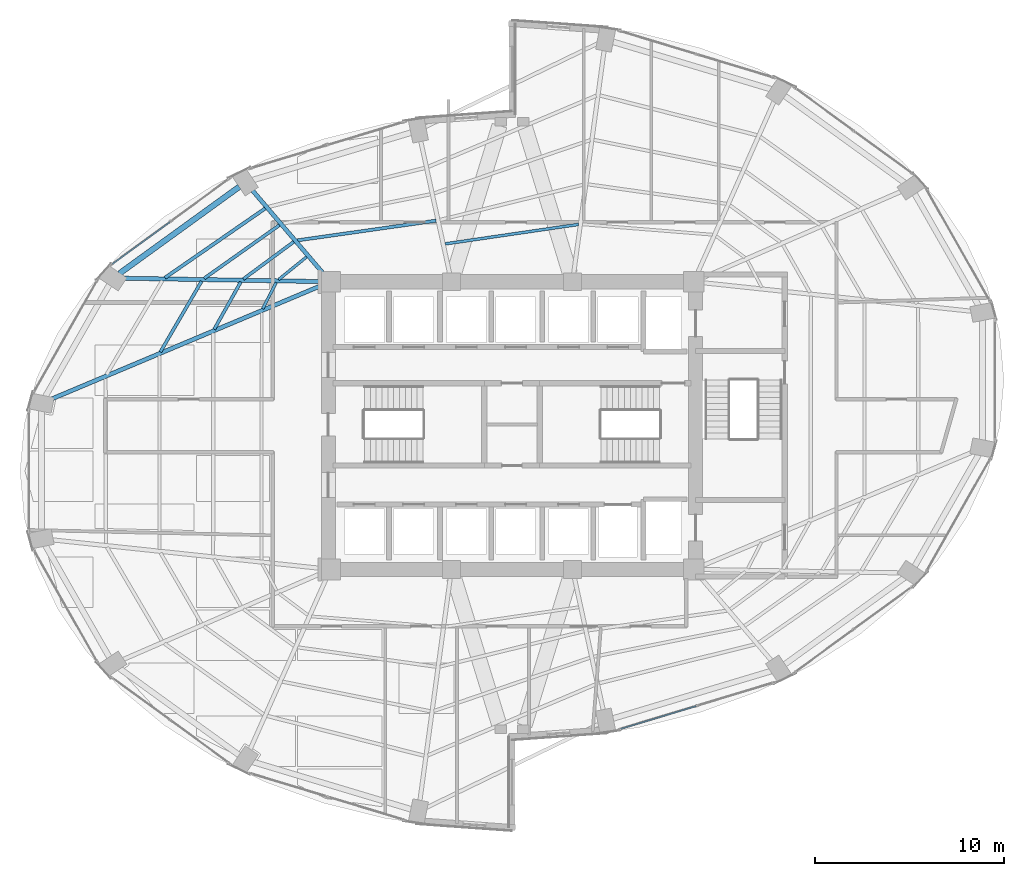
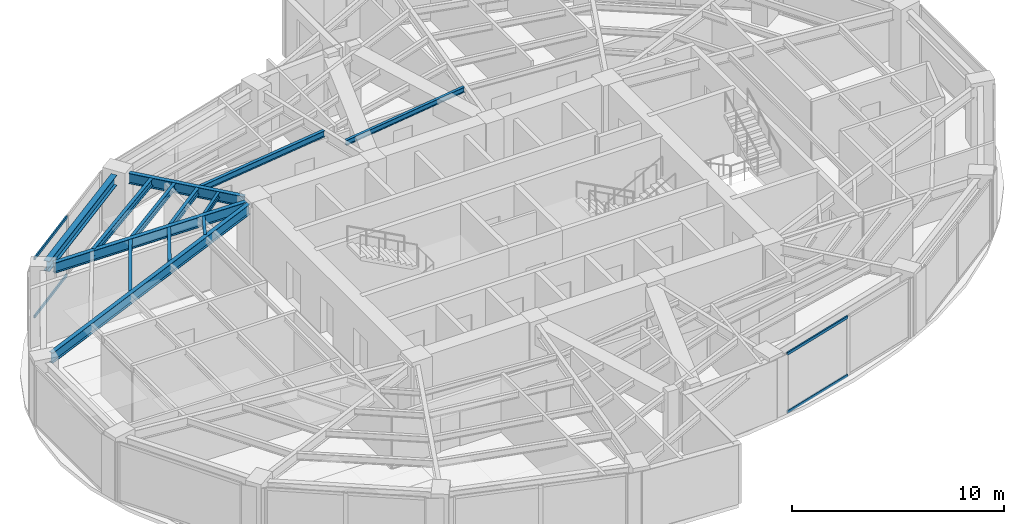
# One storey, part 9 of 23: 13 beams, 4 members, 2 elements without a shape of their own.
"""IFC4 building model written with IfcOpenShell, lengths in metres."""

from ifc_helpers import new_model, si_unit, direction, frame, origin, origin_2d, place, context, subcontext, project, spatial, hollow_rectangle, i_section, extrude, material, layer, layer_set, material_profile, profile_set, type_object, element, aggregate, save


model = new_model("IFC4")

# Units and contexts
model_context = context("Model", 3, precision=1e-05, world=origin(), true_north=direction((0.0, 1.0)))
body_context = subcontext(model_context, "Body", "Model", "MODEL_VIEW")
ifc_project = project(units=[si_unit("LENGTHUNIT", "METRE"), si_unit("AREAUNIT", "SQUARE_METRE"), si_unit("VOLUMEUNIT", "CUBIC_METRE"), si_unit("PLANEANGLEUNIT", "RADIAN"), si_unit("MASSUNIT", "GRAM", prefix="KILO")], contexts=[model_context])

# Site, building, storey
site_placement = place(None, origin())
site = spatial("IfcSite", under=ifc_project, at=site_placement, CompositionType="ELEMENT")
building_placement = place(site_placement, origin())
building = spatial("IfcBuilding", under=site, at=building_placement, Name="Lazwardi Medical Tower", CompositionType="ELEMENT")
storey_placement = place(building_placement, frame((0.0, 0.0, 85.39208984375)))
storey = spatial("IfcBuildingStorey", under=building, at=storey_placement, Name="L21", CompositionType="ELEMENT", Elevation=85.39208984375)

# Beams
ifc_material_1 = material(Name="Steel S355", Category="steel")
ifc_material_profile_1 = material_profile(ifc_material_1, i_section(OverallWidth=0.300048828125, OverallDepth=0.60009765625, WebThickness=0.015380859375, FlangeThickness=0.030029296875, at=origin_2d()), Name="HEB 600")
ifc_profile_set_1 = profile_set([ifc_material_profile_1], Name="Steel S355")
beam_type_1 = type_object("IfcBeamType", Name="BM-RB-Z2", PredefinedType="BEAM", material=ifc_profile_set_1)
beam_1_placement = place(storey_placement, frame((21.584228515625, 40.6171875, 3.1279296875), z_axis=(-0.810041907649, -0.586371987609, 0.0), x_axis=(0.586371987609, -0.810041907649, 0.0)))
element("IfcBeam", 1, at=beam_1_placement, inside=storey, type_object=beam_type_1, Name="Ring beam RB-03 B10 L21", PredefinedType="BEAM", context=body_context, shape_type="SweptSolid", body=[
    extrude(i_section(OverallWidth=0.300048828125, OverallDepth=0.60009765625, WebThickness=0.015380859375, FlangeThickness=0.030029296875, at=origin_2d()), origin(), (0.0, 0.0, 1.0), 7.814208984375),
])
ifc_material_profile_2 = material_profile(ifc_material_1, i_section(OverallWidth=0.219970703125, OverallDepth=0.60009765625, WebThickness=0.011962890625, FlangeThickness=0.01904296875, at=origin_2d()), Name="IPE 600")
ifc_profile_set_2 = profile_set([ifc_material_profile_2], Name="Steel S355")
beam_type_2 = type_object("IfcBeamType", Name="BM-RG-W1", PredefinedType="BEAM", material=ifc_profile_set_2)
beam_2_placement = place(storey_placement, frame((22.292724609375, 40.416259765625, 3.1279296875), z_axis=(0.648870567436, -0.760898801889, 0.0), x_axis=(0.760898801889, 0.648870567436, 0.0)))
element("IfcBeam", 2, at=beam_2_placement, inside=storey, type_object=beam_type_2, Name="Radial girder RG-02 R10 L21", PredefinedType="BEAM", context=body_context, shape_type="SweptSolid", body=[
    extrude(i_section(OverallWidth=0.219970703125, OverallDepth=0.60009765625, WebThickness=0.011962890625, FlangeThickness=0.01904296875, at=origin_2d()), origin(), (0.0, 0.0, 1.0), 5.794677734375),
])
beam_3_placement = place(storey_placement, frame((15.502197265625, 35.784912109375, 3.1279296875), z_axis=(0.99985616395, -0.016960289263, 0.0), x_axis=(0.016960289263, 0.99985616395, 0.0)))
element("IfcBeam", 3, at=beam_3_placement, inside=storey, type_object=beam_type_2, Name="Radial girder RG-02 R11 L21", PredefinedType="BEAM", context=body_context, shape_type="SweptSolid", body=[
    extrude(i_section(OverallWidth=0.219970703125, OverallDepth=0.60009765625, WebThickness=0.011962890625, FlangeThickness=0.01904296875, at=origin_2d()), origin(), (0.0, 0.0, 1.0), 10.3642578125),
])
beam_4_placement = place(storey_placement, frame((11.671630859375, 29.40478515625, 3.1279296875), z_axis=(0.921775176005, 0.38772480563, 0.0), x_axis=(-0.38772480563, 0.921775176005, 0.0)))
element("IfcBeam", 4, at=beam_4_placement, inside=storey, type_object=beam_type_2, Name="Radial girder RG-02 R12 L21", PredefinedType="BEAM", context=body_context, shape_type="SweptSolid", body=[
    extrude(i_section(OverallWidth=0.219970703125, OverallDepth=0.60009765625, WebThickness=0.011962890625, FlangeThickness=0.01904296875, at=origin_2d()), origin(), (0.0, 0.0, 1.0), 15.443359375),
])
ifc_material_profile_3 = material_profile(ifc_material_1, i_section(OverallWidth=0.179931640625, OverallDepth=0.39990234375, WebThickness=0.008544921875, FlangeThickness=0.013427734375, at=origin_2d()), Name="IPE 400")
ifc_profile_set_3 = profile_set([ifc_material_profile_3], Name="Steel S355")
beam_type_3 = type_object("IfcBeamType", Name="BM-SJ-01", PredefinedType="JOIST", material=ifc_profile_set_3)
beam_5_placement = place(storey_placement, frame((22.95849609375, 39.474609375, 3.22802734375), z_axis=(-0.822376339068, -0.568943896128, 0.0), x_axis=(0.568943896128, -0.822376339068, 0.0)))
element("IfcBeam", 5, at=beam_5_placement, inside=storey, type_object=beam_type_3, Name="Secondary joist SJ-01 R1 B10 L21", PredefinedType="JOIST", context=body_context, shape_type="SweptSolid", body=[
    extrude(i_section(OverallWidth=0.179931640625, OverallDepth=0.39990234375, WebThickness=0.008544921875, FlangeThickness=0.013427734375, at=origin_2d()), origin(), (0.0, 0.0, 1.0), 6.44189453125),
])
ifc_material_profile_4 = material_profile(ifc_material_1, i_section(OverallWidth=0.169921875, OverallDepth=0.360107421875, WebThickness=0.008056640625, FlangeThickness=0.0126953125, at=origin_2d()), Name="IPE 360")
ifc_profile_set_4 = profile_set([ifc_material_profile_4], Name="Steel S355")
beam_type_4 = type_object("IfcBeamType", Name="BM-SJ-02", PredefinedType="JOIST", material=ifc_profile_set_4)
beam_6_placement = place(storey_placement, frame((23.7109375, 38.591796875, 3.247802734375), z_axis=(-0.816156371539, -0.577831097464, 0.0), x_axis=(0.577831097464, -0.816156371539, 0.0)))
element("IfcBeam", 6, at=beam_6_placement, inside=storey, type_object=beam_type_4, Name="Secondary joist SJ-02 R2 B10 L21", PredefinedType="JOIST", context=body_context, shape_type="SweptSolid", body=[
    extrude(i_section(OverallWidth=0.169921875, OverallDepth=0.360107421875, WebThickness=0.008056640625, FlangeThickness=0.0126953125, at=origin_2d()), origin(), (0.0, 0.0, 1.0), 4.8740234375),
])
beam_7_placement = place(storey_placement, frame((19.594482421875, 35.623779296875, 3.247802734375), z_axis=(-0.503544274258, -0.86396942299, 0.0), x_axis=(0.86396942299, -0.503544274258, 0.0)))
element("IfcBeam", 7, at=beam_7_placement, inside=storey, type_object=beam_type_4, Name="Secondary joist SJ-02 R2 B11 L21", PredefinedType="JOIST", context=body_context, shape_type="SweptSolid", body=[
    extrude(i_section(OverallWidth=0.169921875, OverallDepth=0.360107421875, WebThickness=0.008056640625, FlangeThickness=0.0126953125, at=origin_2d()), origin(), (0.0, 0.0, 1.0), 4.321044921875),
])
beam_8_placement = place(storey_placement, frame((31.988525390625, 38.8271484375, 3.247802734375), z_axis=(-0.990067108571, -0.140595592128, 0.0), x_axis=(0.140595592128, -0.990067108571, 0.0)))
element("IfcBeam", 8, at=beam_8_placement, inside=storey, type_object=beam_type_4, Name="Secondary joist SJ-02 R3 B09 L21", PredefinedType="JOIST", context=body_context, shape_type="SweptSolid", body=[
    extrude(i_section(OverallWidth=0.169921875, OverallDepth=0.360107421875, WebThickness=0.008056640625, FlangeThickness=0.0126953125, at=origin_2d()), origin(), (0.0, 0.0, 1.0), 7.409423828125),
])
beam_9_placement = place(storey_placement, frame((24.46435546875, 37.708251953125, 3.247802734375), z_axis=(-0.804125525058, -0.594459536008, 0.0), x_axis=(0.594459536008, -0.804125525058, 0.0)))
element("IfcBeam", 9, at=beam_9_placement, inside=storey, type_object=beam_type_4, Name="Secondary joist SJ-02 R3 B10 L21", PredefinedType="JOIST", context=body_context, shape_type="SweptSolid", body=[
    extrude(i_section(OverallWidth=0.169921875, OverallDepth=0.360107421875, WebThickness=0.008056640625, FlangeThickness=0.0126953125, at=origin_2d()), origin(), (0.0, 0.0, 1.0), 3.30810546875),
])
beam_10_placement = place(storey_placement, frame((21.66845703125, 35.587890625, 3.247802734375), z_axis=(-0.489860824278, -0.871800649711, 0.0), x_axis=(0.871800649711, -0.489860824278, 0.0)))
element("IfcBeam", 10, at=beam_10_placement, inside=storey, type_object=beam_type_4, Name="Secondary joist SJ-02 R3 B11 L21", PredefinedType="JOIST", context=body_context, shape_type="SweptSolid", body=[
    extrude(i_section(OverallWidth=0.169921875, OverallDepth=0.360107421875, WebThickness=0.008056640625, FlangeThickness=0.0126953125, at=origin_2d()), origin(), (0.0, 0.0, 1.0), 2.8662109375),
])
ifc_material_profile_5 = material_profile(ifc_material_1, i_section(OverallWidth=0.14990234375, OverallDepth=0.300048828125, WebThickness=0.007080078125, FlangeThickness=0.0107421875, at=origin_2d()), Name="IPE 300")
ifc_profile_set_5 = profile_set([ifc_material_profile_5], Name="Steel S355")
beam_type_5 = type_object("IfcBeamType", Name="BM-SJ-03", PredefinedType="JOIST", material=ifc_profile_set_5)
beam_11_placement = place(storey_placement, frame((39.511474609375, 38.62939453125, 3.27783203125), z_axis=(-0.98949221477, -0.144586157392, 0.0), x_axis=(0.144586157392, -0.98949221477, 0.0)))
element("IfcBeam", 11, at=beam_11_placement, inside=storey, type_object=beam_type_5, Name="Secondary joist SJ-03 R4 B08 L21", PredefinedType="JOIST", context=body_context, shape_type="SweptSolid", body=[
    extrude(i_section(OverallWidth=0.14990234375, OverallDepth=0.300048828125, WebThickness=0.007080078125, FlangeThickness=0.0107421875, at=origin_2d()), origin(), (0.0, 0.0, 1.0), 7.115478515625),
])
beam_12_placement = place(storey_placement, frame((25.14404296875, 36.910888671875, 3.27783203125), z_axis=(-0.77695773322, -0.629552762515, 0.0), x_axis=(0.629552762515, -0.77695773322, 0.0)))
element("IfcBeam", 12, at=beam_12_placement, inside=storey, type_object=beam_type_5, Name="Secondary joist SJ-03 R4 B10 L21", PredefinedType="JOIST", context=body_context, shape_type="SweptSolid", body=[
    extrude(i_section(OverallWidth=0.14990234375, OverallDepth=0.300048828125, WebThickness=0.007080078125, FlangeThickness=0.0107421875, at=origin_2d()), origin(), (0.0, 0.0, 1.0), 1.9013671875),
])
beam_13_placement = place(storey_placement, frame((23.537109375, 35.554443359375, 3.27783203125), z_axis=(-0.457956589674, -0.888974556427, 0.0), x_axis=(0.888974556427, -0.457956589674, 0.0)))
element("IfcBeam", 13, at=beam_13_placement, inside=storey, type_object=beam_type_5, Name="Secondary joist SJ-03 R4 B11 L21", PredefinedType="JOIST", context=body_context, shape_type="SweptSolid", body=[
    extrude(i_section(OverallWidth=0.14990234375, OverallDepth=0.300048828125, WebThickness=0.007080078125, FlangeThickness=0.0107421875, at=origin_2d()), origin(), (0.0, 0.0, 1.0), 1.558837890625),
])

# Curtain wall, members
ifc_material_2 = material(Name="Anodised bronze aluminium and solar control glazing", Category="aluminium")
ifc_layer = layer(ifc_material_2, 0.195068359375)
ifc_layer_set = layer_set([ifc_layer], Name="Anodised bronze aluminium and solar control glazing")
curtain_wall_type = type_object("IfcCurtainWallType", Name="CW-SYS-03", PredefinedType="NOTDEFINED", material=ifc_layer_set)
curtain_wall_1_placement = place(storey_placement, origin())
curtain_wall_1 = element("IfcCurtainWall", 14, at=curtain_wall_1_placement, inside=storey, type_object=curtain_wall_type, Name="L21 Unitised bronze curtain wall CW-03", PredefinedType="NOTDEFINED")
ifc_material_3 = material(Name="Anodised bronze aluminium", Category="aluminium")
ifc_material_profile_6 = material_profile(ifc_material_3, hollow_rectangle(XDim=0.074951171875, YDim=0.159912109375, WallThickness=0.00390625, at=origin_2d()), Name="ALU-TRANSOM 160x75x4")
ifc_profile_set_6 = profile_set([ifc_material_profile_6], Name="Anodised bronze aluminium")
member_type = type_object("IfcMemberType", Name="CW-TRN-01", PredefinedType="USERDEFINED", material=ifc_profile_set_6)
member_1_placement = place(storey_placement, frame((41.74609375, 11.970703125, 0.037353515625), z_axis=(0.957220865985, 0.289358279168, 0.0), x_axis=(-0.289358279168, 0.957220865985, 0.0)))
member_1 = element("IfcMember", 15, at=member_1_placement, type_object=member_type, Name="CW-03 transom 1.1", ObjectType="TRANSOM", PredefinedType="USERDEFINED", context=body_context, shape_type="SweptSolid", body=[
    extrude(hollow_rectangle(XDim=0.074951171875, YDim=0.159912109375, WallThickness=0.00390625, at=origin_2d()), origin(), (0.0, 0.0, 1.0), 4.16552734375),
])
member_2_placement = place(storey_placement, frame((41.74609375, 11.970703125, 3.390380859375), z_axis=(0.957220865985, 0.289358279168, 0.0), x_axis=(-0.289358279168, 0.957220865985, 0.0)))
member_2 = element("IfcMember", 16, at=member_2_placement, type_object=member_type, Name="CW-03 transom 1.2", ObjectType="TRANSOM", PredefinedType="USERDEFINED", context=body_context, shape_type="SweptSolid", body=[
    extrude(hollow_rectangle(XDim=0.074951171875, YDim=0.159912109375, WallThickness=0.00390625, at=origin_2d()), origin(), (0.0, 0.0, 1.0), 4.16552734375),
])
aggregate(curtain_wall_1, [member_1, member_2])

curtain_wall_2_placement = place(storey_placement, origin())
curtain_wall_2 = element("IfcCurtainWall", 17, at=curtain_wall_2_placement, inside=storey, type_object=curtain_wall_type, Name="L21 Unitised bronze curtain wall CW-03", PredefinedType="NOTDEFINED")
member_3_placement = place(storey_placement, frame((17.918701171875, 38.752197265625, 0.037353515625), z_axis=(-0.807731734271, -0.589550206049, 0.0), x_axis=(0.589550206049, -0.807731734271, 0.0)))
member_3 = element("IfcMember", 18, at=member_3_placement, type_object=member_type, Name="CW-03 transom 2.1", ObjectType="TRANSOM", PredefinedType="USERDEFINED", context=body_context, shape_type="SweptSolid", body=[
    extrude(hollow_rectangle(XDim=0.074951171875, YDim=0.159912109375, WallThickness=0.00390625, at=origin_2d()), origin(), (0.0, 0.0, 1.0), 3.767578125),
])
member_4_placement = place(storey_placement, frame((17.918701171875, 38.752197265625, 3.390380859375), z_axis=(-0.807731734271, -0.589550206049, 0.0), x_axis=(0.589550206049, -0.807731734271, 0.0)))
member_4 = element("IfcMember", 19, at=member_4_placement, type_object=member_type, Name="CW-03 transom 2.2", ObjectType="TRANSOM", PredefinedType="USERDEFINED", context=body_context, shape_type="SweptSolid", body=[
    extrude(hollow_rectangle(XDim=0.074951171875, YDim=0.159912109375, WallThickness=0.00390625, at=origin_2d()), origin(), (0.0, 0.0, 1.0), 3.767578125),
])
aggregate(curtain_wall_2, [member_3, member_4])

save(model, "model.ifc")
